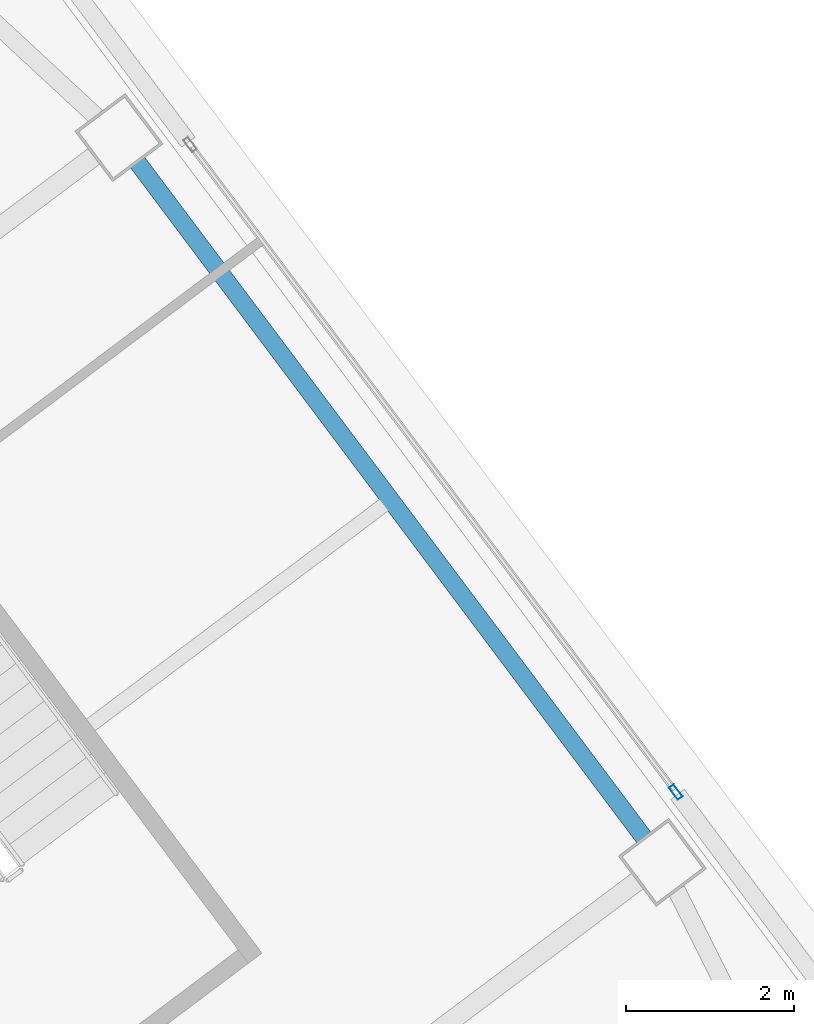
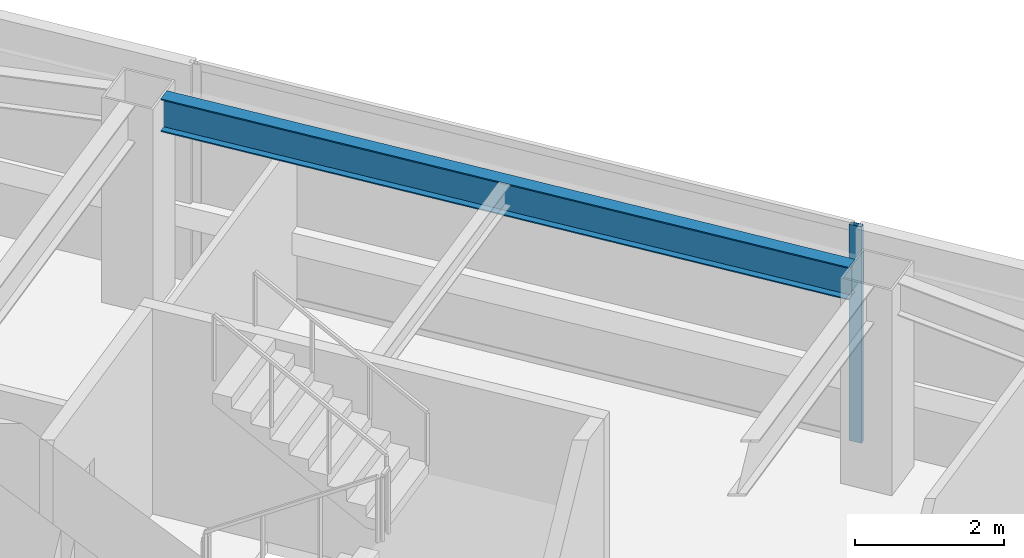
# One storey, part 25 of 41: 1 beam, 1 member, 1 element without a shape of its own.
"""IFC4 building model written with IfcOpenShell, lengths in metres."""

from ifc_helpers import new_model, si_unit, direction, frame, origin, origin_2d, place, context, subcontext, project, spatial, hollow_rectangle, i_section, extrude, material, material_profile, profile_set, type_object, element, aggregate, save


model = new_model("IFC4")

# Units and contexts
model_context = context("Model", 3, precision=1e-05, world=origin(), true_north=direction((0.0, 1.0)))
body_context = subcontext(model_context, "Body", "Model", "MODEL_VIEW")
ifc_project = project(units=[si_unit("LENGTHUNIT", "METRE"), si_unit("AREAUNIT", "SQUARE_METRE"), si_unit("VOLUMEUNIT", "CUBIC_METRE"), si_unit("PLANEANGLEUNIT", "RADIAN"), si_unit("MASSUNIT", "GRAM", prefix="KILO")], contexts=[model_context])

# Site, building, storey
site_placement = place(None, origin())
site = spatial("IfcSite", under=ifc_project, at=site_placement, CompositionType="ELEMENT")
building_placement = place(site_placement, origin())
building = spatial("IfcBuilding", under=site, at=building_placement, Name="Tashvorn Skyway Center", CompositionType="ELEMENT")
storey_placement = place(building_placement, frame((0.0, 0.0, 171.199951171875)))
storey = spatial("IfcBuildingStorey", under=building, at=storey_placement, Name="L46", CompositionType="ELEMENT", Elevation=171.199951171875)

# Beam
ifc_material_1 = material(Name="Steel ASTM A992 Grade 50", Category="steel")
ifc_material_profile_1 = material_profile(ifc_material_1, i_section(OverallWidth=0.2109375, OverallDepth=0.5390625, WebThickness=0.01171875, FlangeThickness=0.018798828125, at=origin_2d()), Name="W21X73")
ifc_profile_set_1 = profile_set([ifc_material_profile_1], Name="Steel ASTM A992 Grade 50")
beam_type = type_object("IfcBeamType", Name="BM-SPANDREL-W21X73", PredefinedType="SPANDREL", material=ifc_profile_set_1)
beam_placement = place(storey_placement, frame((129.93798828125, 37.666015625, 3.1005859375), z_axis=(-0.599988351091, 0.800008736549, 0.0), x_axis=(-0.800008736549, -0.599988351091, 0.0)))
element("IfcBeam", 1, at=beam_placement, inside=storey, type_object=beam_type, Name="Tower 2 L46 Spandrel Beam 05", PredefinedType="SPANDREL", context=body_context, shape_type="SweptSolid", body=[
    extrude(i_section(OverallWidth=0.2109375, OverallDepth=0.5390625, WebThickness=0.01171875, FlangeThickness=0.018798828125, at=origin_2d()), origin(), (0.0, 0.0, 1.0), 10.06005859375),
])

# Curtain wall, member
ifc_material_2 = material(Name="Thermally broken bronze-anodized aluminium 6063-T6", Category="aluminium")
curtain_wall_type = type_object("IfcCurtainWallType", Name="CW-CW-Z4", PredefinedType="NOTDEFINED", material=ifc_material_2)
curtain_wall_placement = place(storey_placement, origin())
curtain_wall = element("IfcCurtainWall", 2, at=curtain_wall_placement, inside=storey, type_object=curtain_wall_type, Name="Tower 2 L46 East Unitised Curtain Wall Glazing Group 2", PredefinedType="NOTDEFINED")
ifc_material_profile_2 = material_profile(ifc_material_2, hollow_rectangle(XDim=0.070068359375, YDim=0.179931640625, WallThickness=0.00390625, at=origin_2d()), Name="ALU-MULL-70x180")
ifc_profile_set_2 = profile_set([ifc_material_profile_2], Name="Thermally broken bronze-anodized aluminium 6063-T6")
member_type = type_object("IfcMemberType", Name="CWM-CW-Z4", PredefinedType="MULLION", material=ifc_profile_set_2)
member_placement = place(storey_placement, frame((130.319091796875, 38.2080078125, 0.0), z_axis=(0.0, 0.0, 1.0), x_axis=(0.799999999998, 0.600000000002, 0.0)))
member = element("IfcMember", 3, at=member_placement, type_object=member_type, Name="CW-Z4 mullion 2", PredefinedType="MULLION", context=body_context, shape_type="SweptSolid", body=[
    extrude(hollow_rectangle(XDim=0.070068359375, YDim=0.179931640625, WallThickness=0.00390625, at=origin_2d()), origin(), (0.0, 0.0, 1.0), 3.550048828125),
])
aggregate(curtain_wall, [member])

save(model, "model.ifc")
